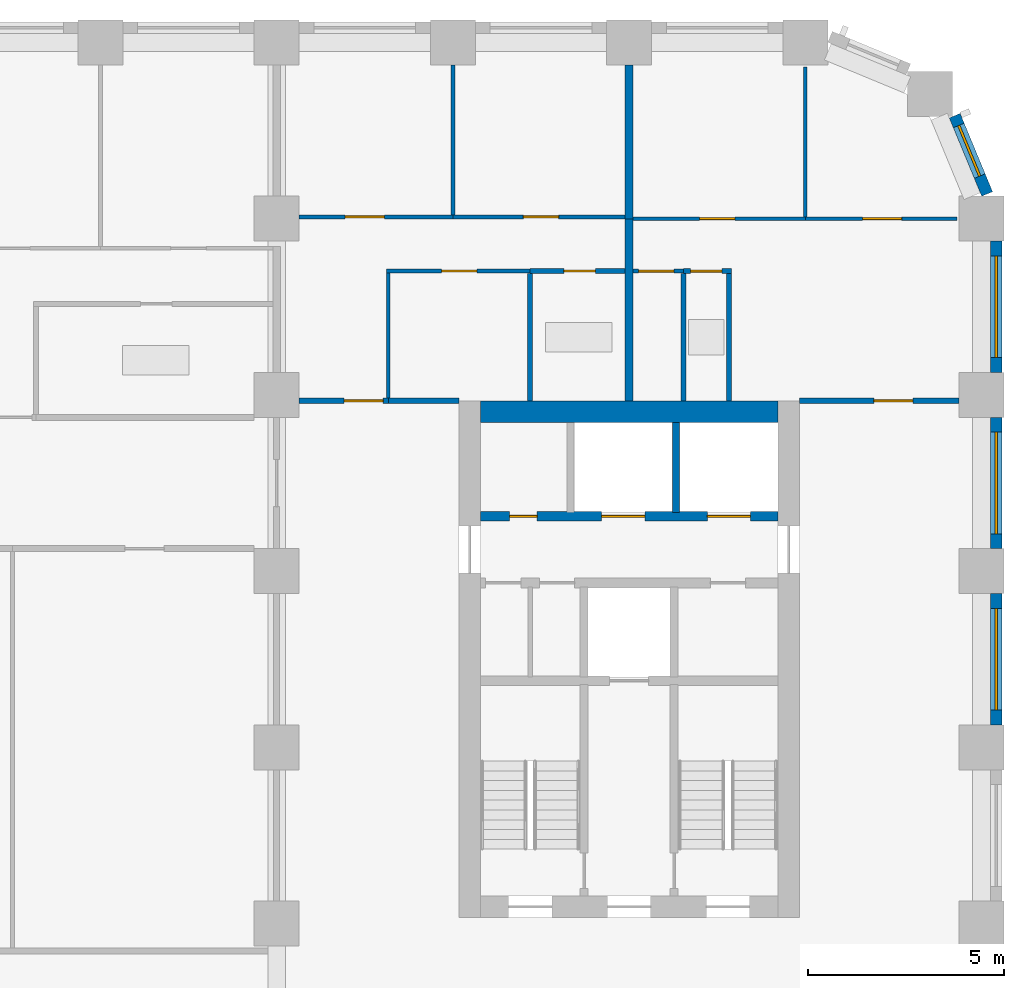
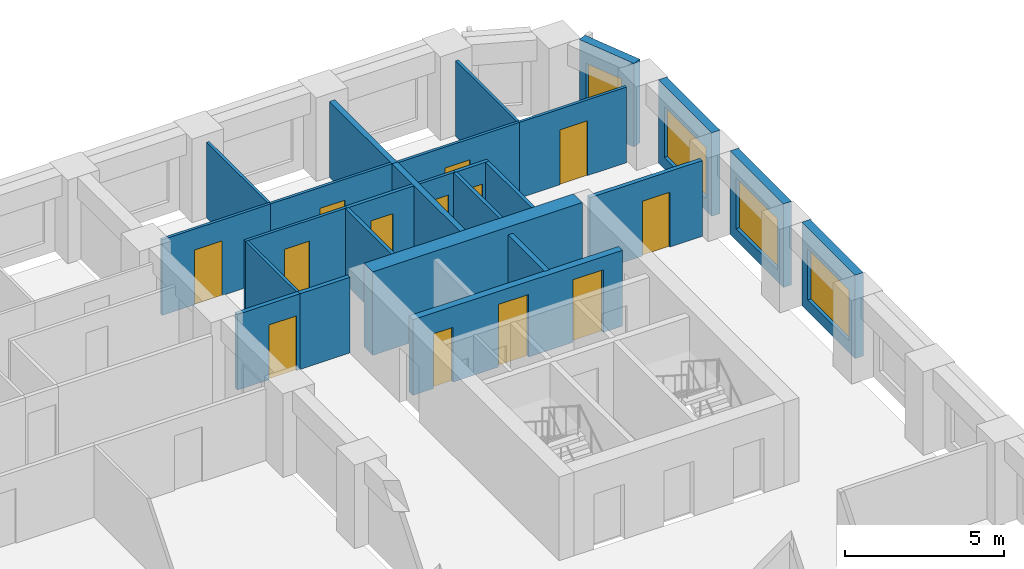
# One storey, part 9 of 13: 26 walls, 13 doors, 4 windows, 17 openings.
"""IFC4 building model written with IfcOpenShell, lengths in metres."""

from ifc_helpers import new_model, si_unit, direction, frame, frame_2d, origin, place, context, subcontext, project, spatial, rectangle, extrude, material, layer, layer_set, type_object, element, fill, save


model = new_model("IFC4")

# Units and contexts
model_context = context("Model", 3, precision=1e-05, world=origin(), true_north=direction((0.0, 1.0)))
body_context = subcontext(model_context, "Body", "Model", "MODEL_VIEW")
ifc_project = project(units=[si_unit("LENGTHUNIT", "METRE"), si_unit("AREAUNIT", "SQUARE_METRE"), si_unit("VOLUMEUNIT", "CUBIC_METRE"), si_unit("PLANEANGLEUNIT", "RADIAN"), si_unit("MASSUNIT", "GRAM", prefix="KILO")], contexts=[model_context])

# Site, building, storey
site_placement = place(None, origin())
site = spatial("IfcSite", under=ifc_project, at=site_placement, CompositionType="ELEMENT")
building_placement = place(site_placement, origin())
building = spatial("IfcBuilding", under=site, at=building_placement, Name="Girih Gate Residences", CompositionType="ELEMENT")
storey_placement = place(building_placement, frame((0.0, 0.0, 86.39990234375)))
storey = spatial("IfcBuildingStorey", under=building, at=storey_placement, Name="L23", CompositionType="ELEMENT", Elevation=86.39990234375)

# Wall, opening, door
ifc_material_1 = material(Name="Gypsum board on steel studs", Category="steel")
ifc_layer_1 = layer(ifc_material_1, 0.14990234375)
ifc_layer_set_1 = layer_set([ifc_layer_1], Name="Compartment wall 150 mm")
wall_type_1 = type_object("IfcWallType", Name="Compartment wall 150 mm", PredefinedType="PARTITIONING", material=ifc_layer_set_1)
wall_1_placement = place(storey_placement, frame((44.85009765625, 40.35009765625, 0.0), z_axis=(0.0, 0.0, 1.0), x_axis=(1.0, 0.0, 0.0)))
wall_1 = element("IfcWall", 1, at=wall_1_placement, inside=storey, type_object=wall_type_1, Name="L23 partition", PredefinedType="PARTITIONING", context=body_context, shape_type="SweptSolid", body=[
    extrude(rectangle(XDim=4.074951171875, YDim=0.14990234375, at=frame_2d((2.03759765625, 0.0))), origin(), (0.0, 0.0, 1.0), 2.900146484375),
])
opening_1_placement = place(wall_1_placement, frame((1.89990234375, 0.0, 0.0)))
opening_1 = element("IfcOpeningElement", 2, at=opening_1_placement, cuts=wall_1, Name="Opening A23-034", PredefinedType="OPENING", context=body_context, shape_type="SweptSolid", body=[
    extrude(rectangle(XDim=1.0, YDim=2.10009765625, at=frame_2d((0.5, 1.050048828125))), frame((0.0, 0.0849609375, 0.0), z_axis=(0.0, -1.0, 0.0), x_axis=(1.0, 0.0, 0.0)), (0.0, 0.0, 1.0), 0.169921875),
])
ifc_material_2 = material(Name="Timber, fire-rated core", Category="wood")
door_type_1 = type_object("IfcDoorType", Name="Flat entrance door 1000x2100 FD30S", OperationType="NOTDEFINED", PredefinedType="DOOR", material=ifc_material_2)
door_1_placement = place(opening_1_placement, origin())
door_1 = element("IfcDoor", 3, at=door_1_placement, inside=storey, type_object=door_type_1, Name="Door A23-034", OperationType="SINGLE_SWING_RIGHT", OverallHeight=2.10009765625, OverallWidth=1.0, PredefinedType="DOOR", context=body_context, shape_type="SweptSolid", body=[
    extrude(rectangle(XDim=1.0, YDim=2.10009765625, at=frame_2d((0.5, 1.050048828125))), frame((0.0, 0.02490234375, 0.0), z_axis=(0.0, -1.0, 0.0), x_axis=(1.0, 0.0, 0.0)), (0.0, 0.0, 1.0), 0.050048828125),
])
fill(opening_1, door_1)

wall_2_placement = place(storey_placement, frame((32.074951171875, 40.35009765625, 0.0), z_axis=(0.0, 0.0, 1.0), x_axis=(1.0, 0.0, 0.0)))
wall_2 = element("IfcWall", 4, at=wall_2_placement, inside=storey, type_object=wall_type_1, Name="L23 partition", PredefinedType="PARTITIONING", context=body_context, shape_type="SweptSolid", body=[
    extrude(rectangle(XDim=2.275146484375, YDim=0.14990234375, at=frame_2d((1.1376953125, 0.0))), origin(), (0.0, 0.0, 1.0), 2.900146484375),
])
opening_2_placement = place(wall_2_placement, frame((1.14501953125, 0.0, 0.0)))
opening_2 = element("IfcOpeningElement", 5, at=opening_2_placement, cuts=wall_2, Name="Opening A23-039", PredefinedType="OPENING", context=body_context, shape_type="SweptSolid", body=[
    extrude(rectangle(XDim=1.0, YDim=2.10009765625, at=frame_2d((0.5, 1.050048828125))), frame((0.0, 0.0849609375, 0.0), z_axis=(0.0, -1.0, 0.0), x_axis=(1.0, 0.0, 0.0)), (0.0, 0.0, 1.0), 0.169921875),
])
door_2_placement = place(opening_2_placement, origin())
door_2 = element("IfcDoor", 6, at=door_2_placement, inside=storey, type_object=door_type_1, Name="Door A23-039", OperationType="SINGLE_SWING_RIGHT", OverallHeight=2.10009765625, OverallWidth=1.0, PredefinedType="DOOR", context=body_context, shape_type="SweptSolid", body=[
    extrude(rectangle(XDim=1.0, YDim=2.10009765625, at=frame_2d((0.5, 1.050048828125))), frame((0.0, 0.02490234375, 0.0), z_axis=(0.0, -1.0, 0.0), x_axis=(1.0, 0.0, 0.0)), (0.0, 0.0, 1.0), 0.050048828125),
])
fill(opening_2, door_2)

# Walls
wall_3_placement = place(storey_placement, frame((34.35009765625, 40.35009765625, 0.0), z_axis=(0.0, 0.0, 1.0), x_axis=(1.0, 0.0, 0.0)))
element("IfcWall", 7, at=wall_3_placement, inside=storey, type_object=wall_type_1, Name="L23 partition", PredefinedType="PARTITIONING", context=body_context, shape_type="SweptSolid", body=[
    extrude(rectangle(XDim=1.7998046875, YDim=0.14990234375, at=frame_2d((0.89990234375, 0.0))), origin(), (0.0, 0.0, 1.0), 2.900146484375),
])
ifc_material_3 = material(Name="Concrete C60/75", Category="concrete")
ifc_layer_2 = layer(ifc_material_3, 0.550048828125)
ifc_layer_set_2 = layer_set([ifc_layer_2], Name="Core wall RC 550 Concrete C60/75")
wall_type_2 = type_object("IfcWallType", Name="Core wall RC 550 Concrete C60/75", PredefinedType="SOLIDWALL", material=ifc_layer_set_2)
wall_4_placement = place(storey_placement, frame((36.699951171875, 40.074951171875, 0.0), z_axis=(0.0, 0.0, 1.0), x_axis=(1.0, 0.0, 0.0)))
element("IfcWall", 8, at=wall_4_placement, inside=storey, type_object=wall_type_2, Name="Core wall E-N L23", PredefinedType="SOLIDWALL", context=body_context, shape_type="SweptSolid", body=[
    extrude(rectangle(XDim=7.60009765625, YDim=0.550048828125, at=frame_2d((3.800048828125, 0.0))), origin(), (0.0, 0.0, 1.0), 3.2001953125),
])

# Wall, openings, doors
ifc_material_4 = material(Name="Concrete C40/50", Category="concrete")
ifc_layer_3 = layer(ifc_material_4, 0.25)
ifc_layer_set_3 = layer_set([ifc_layer_3], Name="Lift shaft wall 250")
wall_type_3 = type_object("IfcWallType", Name="Lift shaft wall 250", PredefinedType="SOLIDWALL", material=ifc_layer_set_3)
wall_5_placement = place(storey_placement, frame((36.699951171875, 37.39990234375, 0.0), z_axis=(0.0, 0.0, 1.0), x_axis=(1.0, 0.0, 0.0)))
wall_5 = element("IfcWall", 9, at=wall_5_placement, inside=storey, type_object=wall_type_3, Name="L23 E core wall H3", PredefinedType="SOLIDWALL", context=body_context, shape_type="SweptSolid", body=[
    extrude(rectangle(XDim=7.60009765625, YDim=0.25, at=frame_2d((3.800048828125, 0.0))), origin(), (0.0, 0.0, 1.0), 2.900146484375),
])
opening_3_placement = place(wall_5_placement, frame((5.800048828125, 0.0, 0.0)))
opening_3 = element("IfcOpeningElement", 10, at=opening_3_placement, cuts=wall_5, Name="Opening D-L23-E-003", PredefinedType="OPENING", context=body_context, shape_type="SweptSolid", body=[
    extrude(rectangle(XDim=1.10009765625, YDim=2.39990234375, at=frame_2d((0.550048828125, 1.199951171875))), frame((0.0, 0.135009765625, 0.0), z_axis=(0.0, -1.0, 0.0), x_axis=(1.0, 0.0, 0.0)), (0.0, 0.0, 1.0), 0.27001953125),
])
opening_4_placement = place(wall_5_placement, frame((3.10009765625, 0.0, 0.0)))
opening_4 = element("IfcOpeningElement", 11, at=opening_4_placement, cuts=wall_5, Name="Opening D-L23-E-004", PredefinedType="OPENING", context=body_context, shape_type="SweptSolid", body=[
    extrude(rectangle(XDim=1.10009765625, YDim=2.39990234375, at=frame_2d((0.550048828125, 1.199951171875))), frame((0.0, 0.135009765625, 0.0), z_axis=(0.0, -1.0, 0.0), x_axis=(1.0, 0.0, 0.0)), (0.0, 0.0, 1.0), 0.27001953125),
])
opening_5_placement = place(wall_5_placement, frame((0.75, 0.0, 0.0)))
opening_5 = element("IfcOpeningElement", 12, at=opening_5_placement, cuts=wall_5, Name="Opening D-L23-E-006", PredefinedType="OPENING", context=body_context, shape_type="SweptSolid", body=[
    extrude(rectangle(XDim=0.699951171875, YDim=2.10009765625, at=frame_2d((0.35009765625, 1.050048828125))), frame((0.0, 0.135009765625, 0.0), z_axis=(0.0, -1.0, 0.0), x_axis=(1.0, 0.0, 0.0)), (0.0, 0.0, 1.0), 0.27001953125),
])
ifc_material_5 = material(Name="Stainless steel", Category="steel")
door_type_2 = type_object("IfcDoorType", Name="Lift landing door 1100x2400", OperationType="SLIDING_TO_LEFT", PredefinedType="DOOR", material=ifc_material_5)
door_3_placement = place(opening_3_placement, origin())
door_3 = element("IfcDoor", 13, at=door_3_placement, inside=storey, type_object=door_type_2, Name="L23 lift LR-E1 landing door", OperationType="SLIDING_TO_LEFT", OverallHeight=2.39990234375, OverallWidth=1.10009765625, PredefinedType="DOOR", context=body_context, shape_type="SweptSolid", body=[
    extrude(rectangle(XDim=1.10009765625, YDim=2.39990234375, at=frame_2d((0.550048828125, 1.199951171875))), frame((0.0, 0.02490234375, 0.0), z_axis=(0.0, -1.0, 0.0), x_axis=(1.0, 0.0, 0.0)), (0.0, 0.0, 1.0), 0.050048828125),
])
fill(opening_3, door_3)
door_4_placement = place(opening_4_placement, origin())
door_4 = element("IfcDoor", 14, at=door_4_placement, inside=storey, type_object=door_type_2, Name="L23 lift LR-E2 landing door", OperationType="SLIDING_TO_LEFT", OverallHeight=2.39990234375, OverallWidth=1.10009765625, PredefinedType="DOOR", context=body_context, shape_type="SweptSolid", body=[
    extrude(rectangle(XDim=1.10009765625, YDim=2.39990234375, at=frame_2d((0.550048828125, 1.199951171875))), frame((0.0, 0.02490234375, 0.0), z_axis=(0.0, -1.0, 0.0), x_axis=(1.0, 0.0, 0.0)), (0.0, 0.0, 1.0), 0.050048828125),
])
fill(opening_4, door_4)
ifc_material_6 = material(Name="Painted steel, fire-resisting", Category="steel")
door_type_3 = type_object("IfcDoorType", Name="Riser access door 700x2100", OperationType="SINGLE_SWING_LEFT", PredefinedType="DOOR", material=ifc_material_6)
door_5_placement = place(opening_5_placement, origin())
door_5 = element("IfcDoor", 15, at=door_5_placement, inside=storey, type_object=door_type_3, Name="L23 E riser room door", OperationType="SINGLE_SWING_LEFT", OverallHeight=2.10009765625, OverallWidth=0.699951171875, PredefinedType="DOOR", context=body_context, shape_type="SweptSolid", body=[
    extrude(rectangle(XDim=0.699951171875, YDim=2.10009765625, at=frame_2d((0.35009765625, 1.050048828125))), frame((0.0, 0.02490234375, 0.0), z_axis=(0.0, -1.0, 0.0), x_axis=(1.0, 0.0, 0.0)), (0.0, 0.0, 1.0), 0.050048828125),
])
fill(opening_5, door_5)

# Wall, opening, door
ifc_layer_4 = layer(ifc_material_1, 0.10009765625)
ifc_layer_set_4 = layer_set([ifc_layer_4], Name="Partition 100 mm")
wall_type_4 = type_object("IfcWallType", Name="Partition 100 mm", PredefinedType="PARTITIONING", material=ifc_layer_set_4)
wall_6_placement = place(storey_placement, frame((40.60009765625, 45.0, 0.0), z_axis=(0.0, 0.0, 1.0), x_axis=(1.0, 0.0, 0.0)))
wall_6 = element("IfcWall", 16, at=wall_6_placement, inside=storey, type_object=wall_type_4, Name="L23 partition", PredefinedType="PARTITIONING", context=body_context, shape_type="SweptSolid", body=[
    extrude(rectangle(XDim=4.39990234375, YDim=0.10009765625, at=frame_2d((2.199951171875, 0.0))), origin(), (0.0, 0.0, 1.0), 2.900146484375),
])
opening_6_placement = place(wall_6_placement, frame((1.699951171875, 0.0, 0.0)))
opening_6 = element("IfcOpeningElement", 17, at=opening_6_placement, cuts=wall_6, Name="Opening A23-031", PredefinedType="OPENING", context=body_context, shape_type="SweptSolid", body=[
    extrude(rectangle(XDim=0.89990234375, YDim=2.10009765625, at=frame_2d((0.449951171875, 1.050048828125))), frame((0.0, 0.06005859375, 0.0), z_axis=(0.0, -1.0, 0.0), x_axis=(1.0, 0.0, 0.0)), (0.0, 0.0, 1.0), 0.1201171875),
])
ifc_material_7 = material(Name="Timber", Category="wood")
door_type_4 = type_object("IfcDoorType", Name="Bedroom door 900x2100", OperationType="NOTDEFINED", PredefinedType="DOOR", material=ifc_material_7)
door_6_placement = place(opening_6_placement, origin())
door_6 = element("IfcDoor", 18, at=door_6_placement, inside=storey, type_object=door_type_4, Name="Door A23-031", OperationType="SINGLE_SWING_LEFT", OverallHeight=2.10009765625, OverallWidth=0.89990234375, PredefinedType="DOOR", context=body_context, shape_type="SweptSolid", body=[
    extrude(rectangle(XDim=0.89990234375, YDim=2.10009765625, at=frame_2d((0.449951171875, 1.050048828125))), frame((0.0, 0.02490234375, 0.0), z_axis=(0.0, -1.0, 0.0), x_axis=(1.0, 0.0, 0.0)), (0.0, 0.0, 1.0), 0.050048828125),
])
fill(opening_6, door_6)

# Wall
wall_7_placement = place(storey_placement, frame((45.0, 45.050048828125, 0.0), z_axis=(0.0, 0.0, 1.0), x_axis=(0.0, 1.0, 0.0)))
element("IfcWall", 19, at=wall_7_placement, inside=storey, type_object=wall_type_4, Name="L23 partition", PredefinedType="PARTITIONING", context=body_context, shape_type="SweptSolid", body=[
    extrude(rectangle(XDim=3.82763671875, YDim=0.10009765625, at=frame_2d((1.913818359375, 0.0))), origin(), (0.0, 0.0, 1.0), 2.900146484375),
])

# Wall, opening, door
wall_8_placement = place(storey_placement, frame((41.890869140625, 43.659912109375, 0.0), z_axis=(0.0, 0.0, 1.0), x_axis=(-1.0, 0.0, 0.0)))
wall_8 = element("IfcWall", 20, at=wall_8_placement, inside=storey, type_object=wall_type_4, Name="L23 partition", PredefinedType="PARTITIONING", context=body_context, shape_type="SweptSolid", body=[
    extrude(rectangle(XDim=1.290771484375, YDim=0.10009765625, at=frame_2d((0.6455078125, 0.0))), origin(), (0.0, 0.0, 1.0), 2.900146484375),
])
opening_7_placement = place(wall_8_placement, frame((0.24560546875, 0.0, 0.0)))
opening_7 = element("IfcOpeningElement", 21, at=opening_7_placement, cuts=wall_8, Name="Opening A23-032", PredefinedType="OPENING", context=body_context, shape_type="SweptSolid", body=[
    extrude(rectangle(XDim=0.89990234375, YDim=2.10009765625, at=frame_2d((0.449951171875, 1.050048828125))), frame((0.0, 0.06005859375, 0.0), z_axis=(0.0, -1.0, 0.0), x_axis=(1.0, 0.0, 0.0)), (0.0, 0.0, 1.0), 0.1201171875),
])
door_type_5 = type_object("IfcDoorType", Name="Kitchen door 900x2100", OperationType="NOTDEFINED", PredefinedType="DOOR", material=ifc_material_7)
door_7_placement = place(opening_7_placement, origin())
door_7 = element("IfcDoor", 22, at=door_7_placement, inside=storey, type_object=door_type_5, Name="Door A23-032", OperationType="SINGLE_SWING_RIGHT", OverallHeight=2.10009765625, OverallWidth=0.89990234375, PredefinedType="DOOR", context=body_context, shape_type="SweptSolid", body=[
    extrude(rectangle(XDim=0.89990234375, YDim=2.10009765625, at=frame_2d((0.449951171875, 1.050048828125))), frame((0.0, 0.02490234375, 0.0), z_axis=(0.0, -1.0, 0.0), x_axis=(1.0, 0.0, 0.0)), (0.0, 0.0, 1.0), 0.050048828125),
])
fill(opening_7, door_7)

wall_9_placement = place(storey_placement, frame((45.0, 45.0, 0.0), z_axis=(0.0, 0.0, 1.0), x_axis=(1.0, 0.0, 0.0)))
wall_9 = element("IfcWall", 23, at=wall_9_placement, inside=storey, type_object=wall_type_4, Name="L23 partition", PredefinedType="PARTITIONING", context=body_context, shape_type="SweptSolid", body=[
    extrude(rectangle(XDim=3.877685546875, YDim=0.10009765625, at=frame_2d((1.93896484375, 0.0))), origin(), (0.0, 0.0, 1.0), 2.900146484375),
])
opening_8_placement = place(wall_9_placement, frame((1.46240234375, 0.0, 0.0)))
opening_8 = element("IfcOpeningElement", 24, at=opening_8_placement, cuts=wall_9, Name="Opening A23-033", PredefinedType="OPENING", context=body_context, shape_type="SweptSolid", body=[
    extrude(rectangle(XDim=1.0, YDim=2.10009765625, at=frame_2d((0.5, 1.050048828125))), frame((0.0, 0.06005859375, 0.0), z_axis=(0.0, -1.0, 0.0), x_axis=(1.0, 0.0, 0.0)), (0.0, 0.0, 1.0), 0.1201171875),
])
door_type_6 = type_object("IfcDoorType", Name="Living room door 1000x2100", OperationType="NOTDEFINED", PredefinedType="DOOR", material=ifc_material_7)
door_8_placement = place(opening_8_placement, origin())
door_8 = element("IfcDoor", 25, at=door_8_placement, inside=storey, type_object=door_type_6, Name="Door A23-033", OperationType="SINGLE_SWING_RIGHT", OverallHeight=2.10009765625, OverallWidth=1.0, PredefinedType="DOOR", context=body_context, shape_type="SweptSolid", body=[
    extrude(rectangle(XDim=1.0, YDim=2.10009765625, at=frame_2d((0.5, 1.050048828125))), frame((0.0, 0.02490234375, 0.0), z_axis=(0.0, -1.0, 0.0), x_axis=(1.0, 0.0, 0.0)), (0.0, 0.0, 1.0), 0.050048828125),
])
fill(opening_8, door_8)

wall_10_placement = place(storey_placement, frame((36.0, 45.044921875, 0.0), z_axis=(0.0, 0.0, 1.0), x_axis=(1.0, 0.0, 0.0)))
wall_10 = element("IfcWall", 26, at=wall_10_placement, inside=storey, type_object=wall_type_4, Name="L23 partition", PredefinedType="PARTITIONING", context=body_context, shape_type="SweptSolid", body=[
    extrude(rectangle(XDim=4.39990234375, YDim=0.10009765625, at=frame_2d((2.199951171875, 0.0))), origin(), (0.0, 0.0, 1.0), 2.900146484375),
])
opening_9_placement = place(wall_10_placement, frame((1.800048828125, 0.0, 0.0)))
opening_9 = element("IfcOpeningElement", 27, at=opening_9_placement, cuts=wall_10, Name="Opening A23-036", PredefinedType="OPENING", context=body_context, shape_type="SweptSolid", body=[
    extrude(rectangle(XDim=0.89990234375, YDim=2.10009765625, at=frame_2d((0.449951171875, 1.050048828125))), frame((0.0, 0.06005859375, 0.0), z_axis=(0.0, -1.0, 0.0), x_axis=(1.0, 0.0, 0.0)), (0.0, 0.0, 1.0), 0.1201171875),
])
door_9_placement = place(opening_9_placement, origin())
door_9 = element("IfcDoor", 28, at=door_9_placement, inside=storey, type_object=door_type_4, Name="Door A23-036", OperationType="SINGLE_SWING_RIGHT", OverallHeight=2.10009765625, OverallWidth=0.89990234375, PredefinedType="DOOR", context=body_context, shape_type="SweptSolid", body=[
    extrude(rectangle(XDim=0.89990234375, YDim=2.10009765625, at=frame_2d((0.449951171875, 1.050048828125))), frame((0.0, 0.02490234375, 0.0), z_axis=(0.0, -1.0, 0.0), x_axis=(1.0, 0.0, 0.0)), (0.0, 0.0, 1.0), 0.050048828125),
])
fill(opening_9, door_9)

# Wall
wall_11_placement = place(storey_placement, frame((36.0, 45.094970703125, 0.0), z_axis=(0.0, 0.0, 1.0), x_axis=(0.0, 1.0, 0.0)))
element("IfcWall", 29, at=wall_11_placement, inside=storey, type_object=wall_type_4, Name="L23 partition", PredefinedType="PARTITIONING", context=body_context, shape_type="SweptSolid", body=[
    extrude(rectangle(XDim=3.830078125, YDim=0.10009765625, at=frame_2d((1.9150390625, 0.0))), origin(), (0.0, 0.0, 1.0), 2.900146484375),
])

# Wall, opening, door
wall_12_placement = place(storey_placement, frame((37.97265625, 43.6650390625, 0.0), z_axis=(0.0, 0.0, 1.0), x_axis=(-1.0, 0.0, 0.0)))
wall_12 = element("IfcWall", 30, at=wall_12_placement, inside=storey, type_object=wall_type_4, Name="L23 partition", PredefinedType="PARTITIONING", context=body_context, shape_type="SweptSolid", body=[
    extrude(rectangle(XDim=3.672607421875, YDim=0.10009765625, at=frame_2d((1.83642578125, 0.0))), origin(), (0.0, 0.0, 1.0), 2.900146484375),
])
opening_10_placement = place(wall_12_placement, frame((1.361328125, 0.0, 0.0)))
opening_10 = element("IfcOpeningElement", 31, at=opening_10_placement, cuts=wall_12, Name="Opening A23-037", PredefinedType="OPENING", context=body_context, shape_type="SweptSolid", body=[
    extrude(rectangle(XDim=0.89990234375, YDim=2.10009765625, at=frame_2d((0.449951171875, 1.050048828125))), frame((0.0, 0.06005859375, 0.0), z_axis=(0.0, -1.0, 0.0), x_axis=(1.0, 0.0, 0.0)), (0.0, 0.0, 1.0), 0.1201171875),
])
door_10_placement = place(opening_10_placement, origin())
door_10 = element("IfcDoor", 32, at=door_10_placement, inside=storey, type_object=door_type_5, Name="Door A23-037", OperationType="SINGLE_SWING_LEFT", OverallHeight=2.10009765625, OverallWidth=0.89990234375, PredefinedType="DOOR", context=body_context, shape_type="SweptSolid", body=[
    extrude(rectangle(XDim=0.89990234375, YDim=2.10009765625, at=frame_2d((0.449951171875, 1.050048828125))), frame((0.0, 0.02490234375, 0.0), z_axis=(0.0, -1.0, 0.0), x_axis=(1.0, 0.0, 0.0)), (0.0, 0.0, 1.0), 0.050048828125),
])
fill(opening_10, door_10)

# Wall
wall_13_placement = place(storey_placement, frame((34.35009765625, 40.425048828125, 0.0), z_axis=(0.0, 0.0, 1.0), x_axis=(0.0, 1.0, 0.0)))
element("IfcWall", 33, at=wall_13_placement, inside=storey, type_object=wall_type_4, Name="L23 partition", PredefinedType="PARTITIONING", context=body_context, shape_type="SweptSolid", body=[
    extrude(rectangle(XDim=3.18994140625, YDim=0.10009765625, at=frame_2d((1.594970703125, 0.0))), origin(), (0.0, 0.0, 1.0), 2.900146484375),
])

# Wall, opening, door
wall_14_placement = place(storey_placement, frame((32.074951171875, 45.044921875, 0.0), z_axis=(0.0, 0.0, 1.0), x_axis=(1.0, 0.0, 0.0)))
wall_14 = element("IfcWall", 34, at=wall_14_placement, inside=storey, type_object=wall_type_4, Name="L23 partition", PredefinedType="PARTITIONING", context=body_context, shape_type="SweptSolid", body=[
    extrude(rectangle(XDim=3.925048828125, YDim=0.10009765625, at=frame_2d((1.96240234375, 0.0))), origin(), (0.0, 0.0, 1.0), 2.900146484375),
])
opening_11_placement = place(wall_14_placement, frame((1.175048828125, 0.0, 0.0)))
opening_11 = element("IfcOpeningElement", 35, at=opening_11_placement, cuts=wall_14, Name="Opening A23-038", PredefinedType="OPENING", context=body_context, shape_type="SweptSolid", body=[
    extrude(rectangle(XDim=1.0, YDim=2.10009765625, at=frame_2d((0.5, 1.050048828125))), frame((0.0, 0.06005859375, 0.0), z_axis=(0.0, -1.0, 0.0), x_axis=(1.0, 0.0, 0.0)), (0.0, 0.0, 1.0), 0.1201171875),
])
door_11_placement = place(opening_11_placement, origin())
door_11 = element("IfcDoor", 36, at=door_11_placement, inside=storey, type_object=door_type_6, Name="Door A23-038", OperationType="SINGLE_SWING_LEFT", OverallHeight=2.10009765625, OverallWidth=1.0, PredefinedType="DOOR", context=body_context, shape_type="SweptSolid", body=[
    extrude(rectangle(XDim=1.0, YDim=2.10009765625, at=frame_2d((0.5, 1.050048828125))), frame((0.0, 0.02490234375, 0.0), z_axis=(0.0, -1.0, 0.0), x_axis=(1.0, 0.0, 0.0)), (0.0, 0.0, 1.0), 0.050048828125),
])
fill(opening_11, door_11)

# Walls
ifc_layer_5 = layer(ifc_material_1, 0.199951171875)
ifc_layer_set_5 = layer_set([ifc_layer_5], Name="Party wall 200 mm")
wall_type_5 = type_object("IfcWallType", Name="Party wall 200 mm", PredefinedType="PARTITIONING", material=ifc_layer_set_5)
wall_15_placement = place(storey_placement, frame((40.5, 44.9951171875, 0.0), z_axis=(0.0, 0.0, 1.0), x_axis=(0.0, 1.0, 0.0)))
element("IfcWall", 37, at=wall_15_placement, inside=storey, type_object=wall_type_5, Name="L23 partition", PredefinedType="PARTITIONING", context=body_context, shape_type="SweptSolid", body=[
    extrude(rectangle(XDim=3.929931640625, YDim=0.199951171875, at=frame_2d((1.96484375, 0.0))), origin(), (0.0, 0.0, 1.0), 2.900146484375),
])
wall_16_placement = place(storey_placement, frame((40.5, 40.35009765625, 0.0), z_axis=(0.0, 0.0, 1.0), x_axis=(0.0, 1.0, 0.0)))
element("IfcWall", 38, at=wall_16_placement, inside=storey, type_object=wall_type_5, Name="L23 partition", PredefinedType="PARTITIONING", context=body_context, shape_type="SweptSolid", body=[
    extrude(rectangle(XDim=4.699951171875, YDim=0.199951171875, at=frame_2d((2.35009765625, 0.0))), origin(), (0.0, 0.0, 1.0), 2.900146484375),
])

# Wall, opening, window
ifc_material_8 = material(Name="Precast concrete C50/60", Category="concrete")
ifc_layer_6 = layer(ifc_material_8, 0.080078125, Name="Outer leaf")
ifc_material_9 = material(Name="Rigid PIR insulation")
ifc_layer_7 = layer(ifc_material_9, 0.14990234375, Name="Insulation")
ifc_material_10 = material(Name="Precast concrete C40/50", Category="concrete")
ifc_layer_8 = layer(ifc_material_10, 0.070068359375, Name="Inner leaf")
ifc_layer_set_6 = layer_set([ifc_layer_6, ifc_layer_7, ifc_layer_8], Name="Precast concrete C50/60 external wall 300")
wall_type_6 = type_object("IfcWallType", Name="Precast concrete C50/60 external wall 300", PredefinedType="SOLIDWALL", material=ifc_layer_set_6)
wall_17_placement = place(storey_placement, frame((49.875, 35.425048828125, 0.0), z_axis=(0.0, 0.0, 1.0), x_axis=(0.0, -1.0, 0.0)))
wall_17 = element("IfcWall", 39, at=wall_17_placement, inside=storey, type_object=wall_type_6, Name="External wall E0495_0045.6", PredefinedType="SOLIDWALL", context=body_context, shape_type="SweptSolid", body=[
    extrude(rectangle(XDim=3.35009765625, YDim=0.300048828125, at=frame_2d((1.675048828125, 0.0))), origin(), (0.0, 0.0, 1.0), 3.2001953125),
])
opening_12_placement = place(wall_17_placement, frame((0.375, 0.0, 0.449951171875)))
opening_12 = element("IfcOpeningElement", 40, at=opening_12_placement, cuts=wall_17, Name="Opening W-1A", PredefinedType="OPENING", context=body_context, shape_type="SweptSolid", body=[
    extrude(rectangle(XDim=2.60009765625, YDim=1.949951171875, at=frame_2d((1.300048828125, 0.97509765625))), frame((0.0, 0.159912109375, 0.0), z_axis=(0.0, -1.0, 0.0), x_axis=(1.0, 0.0, 0.0)), (0.0, 0.0, 1.0), 0.320068359375),
])
ifc_material_11 = material(Name="Double glazing in aluminium frame", Category="aluminium")
window_type_1 = type_object("IfcWindowType", Name="Window W-1A 2600x1950", PartitioningType="SINGLE_PANEL", PredefinedType="WINDOW", material=ifc_material_11)
window_1_placement = place(opening_12_placement, origin())
window_1 = element("IfcWindow", 41, at=window_1_placement, inside=storey, type_object=window_type_1, Name="Window W-1A E0495_0045.6", OverallHeight=1.949951171875, OverallWidth=2.60009765625, PartitioningType="SINGLE_PANEL", PredefinedType="WINDOW", context=body_context, shape_type="SweptSolid", body=[
    extrude(rectangle(XDim=2.60009765625, YDim=1.949951171875, at=frame_2d((1.300048828125, 0.97509765625))), frame((0.0, 0.030029296875, 0.0), z_axis=(0.0, -1.0, 0.0), x_axis=(1.0, 0.0, 0.0)), (0.0, 0.0, 1.0), 0.06005859375),
])
fill(opening_12, window_1)

wall_18_placement = place(storey_placement, frame((49.875, 39.925048828125, 0.0), z_axis=(0.0, 0.0, 1.0), x_axis=(0.0, -1.0, 0.0)))
wall_18 = element("IfcWall", 42, at=wall_18_placement, inside=storey, type_object=wall_type_6, Name="External wall E0495_0045.7", PredefinedType="SOLIDWALL", context=body_context, shape_type="SweptSolid", body=[
    extrude(rectangle(XDim=3.35009765625, YDim=0.300048828125, at=frame_2d((1.675048828125, 0.0))), origin(), (0.0, 0.0, 1.0), 3.2001953125),
])
opening_13_placement = place(wall_18_placement, frame((0.375, 0.0, 0.449951171875)))
opening_13 = element("IfcOpeningElement", 43, at=opening_13_placement, cuts=wall_18, Name="Opening W-1A", PredefinedType="OPENING", context=body_context, shape_type="SweptSolid", body=[
    extrude(rectangle(XDim=2.60009765625, YDim=1.949951171875, at=frame_2d((1.300048828125, 0.97509765625))), frame((0.0, 0.159912109375, 0.0), z_axis=(0.0, -1.0, 0.0), x_axis=(1.0, 0.0, 0.0)), (0.0, 0.0, 1.0), 0.320068359375),
])
window_2_placement = place(opening_13_placement, origin())
window_2 = element("IfcWindow", 44, at=window_2_placement, inside=storey, type_object=window_type_1, Name="Window W-1A E0495_0045.7", OverallHeight=1.949951171875, OverallWidth=2.60009765625, PartitioningType="SINGLE_PANEL", PredefinedType="WINDOW", context=body_context, shape_type="SweptSolid", body=[
    extrude(rectangle(XDim=2.60009765625, YDim=1.949951171875, at=frame_2d((1.300048828125, 0.97509765625))), frame((0.0, 0.030029296875, 0.0), z_axis=(0.0, -1.0, 0.0), x_axis=(1.0, 0.0, 0.0)), (0.0, 0.0, 1.0), 0.06005859375),
])
fill(opening_13, window_2)

wall_19_placement = place(storey_placement, frame((49.875, 44.425048828125, 0.0), z_axis=(0.0, 0.0, 1.0), x_axis=(0.0, -1.0, 0.0)))
wall_19 = element("IfcWall", 45, at=wall_19_placement, inside=storey, type_object=wall_type_6, Name="External wall E0495_0045.8", PredefinedType="SOLIDWALL", context=body_context, shape_type="SweptSolid", body=[
    extrude(rectangle(XDim=3.35009765625, YDim=0.300048828125, at=frame_2d((1.675048828125, 0.0))), origin(), (0.0, 0.0, 1.0), 3.2001953125),
])
opening_14_placement = place(wall_19_placement, frame((0.375, 0.0, 0.449951171875)))
opening_14 = element("IfcOpeningElement", 46, at=opening_14_placement, cuts=wall_19, Name="Opening W-1A", PredefinedType="OPENING", context=body_context, shape_type="SweptSolid", body=[
    extrude(rectangle(XDim=2.60009765625, YDim=1.949951171875, at=frame_2d((1.300048828125, 0.97509765625))), frame((0.0, 0.159912109375, 0.0), z_axis=(0.0, -1.0, 0.0), x_axis=(1.0, 0.0, 0.0)), (0.0, 0.0, 1.0), 0.320068359375),
])
window_3_placement = place(opening_14_placement, origin())
window_3 = element("IfcWindow", 47, at=window_3_placement, inside=storey, type_object=window_type_1, Name="Window W-1A E0495_0045.8", OverallHeight=1.949951171875, OverallWidth=2.60009765625, PartitioningType="SINGLE_PANEL", PredefinedType="WINDOW", context=body_context, shape_type="SweptSolid", body=[
    extrude(rectangle(XDim=2.60009765625, YDim=1.949951171875, at=frame_2d((1.300048828125, 0.97509765625))), frame((0.0, 0.030029296875, 0.0), z_axis=(0.0, -1.0, 0.0), x_axis=(1.0, 0.0, 0.0)), (0.0, 0.0, 1.0), 0.06005859375),
])
fill(opening_14, window_3)

wall_20_placement = place(storey_placement, frame((48.81591796875, 47.63134765625, 0.0), z_axis=(0.0, 0.0, 1.0), x_axis=(0.382723818695, -0.923862802911, 0.0)))
wall_20 = element("IfcWall", 48, at=wall_20_placement, inside=storey, type_object=wall_type_6, Name="External wall NE0495_0450.0", PredefinedType="SOLIDWALL", context=body_context, shape_type="SweptSolid", body=[
    extrude(rectangle(XDim=2.163818359375, YDim=0.300048828125, at=frame_2d((1.08203125, 0.0))), origin(), (0.0, 0.0, 1.0), 3.2001953125),
])
opening_15_placement = place(wall_20_placement, frame((0.270751953125, 0.0, 0.449951171875)))
opening_15 = element("IfcOpeningElement", 49, at=opening_15_placement, cuts=wall_20, Name="Opening W-2D", PredefinedType="OPENING", context=body_context, shape_type="SweptSolid", body=[
    extrude(rectangle(XDim=1.39990234375, YDim=1.949951171875, at=frame_2d((0.699951171875, 0.97509765625))), frame((0.0, 0.159912109375, 0.0), z_axis=(0.0, -1.0, 0.0), x_axis=(1.0, 0.0, 0.0)), (0.0, 0.0, 1.0), 0.320068359375),
])
window_type_2 = type_object("IfcWindowType", Name="Window W-2D 1400x1950", PartitioningType="SINGLE_PANEL", PredefinedType="WINDOW", material=ifc_material_11)
window_4_placement = place(opening_15_placement, origin())
window_4 = element("IfcWindow", 50, at=window_4_placement, inside=storey, type_object=window_type_2, Name="Window W-2D NE0495_0450.0", OverallHeight=1.949951171875, OverallWidth=1.39990234375, PartitioningType="SINGLE_PANEL", PredefinedType="WINDOW", context=body_context, shape_type="SweptSolid", body=[
    extrude(rectangle(XDim=1.39990234375, YDim=1.949951171875, at=frame_2d((0.699951171875, 0.97509765625))), frame((0.0, 0.030029296875, 0.0), z_axis=(0.0, -1.0, 0.0), x_axis=(1.0, 0.0, 0.0)), (0.0, 0.0, 1.0), 0.06005859375),
])
fill(opening_15, window_4)

# Wall
ifc_layer_9 = layer(ifc_material_4, 0.175048828125)
ifc_layer_set_7 = layer_set([ifc_layer_9], Name="Riser shaft wall 175")
wall_type_7 = type_object("IfcWallType", Name="Riser shaft wall 175", PredefinedType="SOLIDWALL", material=ifc_layer_set_7)
wall_21_placement = place(storey_placement, frame((41.699951171875, 37.5, 0.0), z_axis=(0.0, 0.0, 1.0), x_axis=(0.0, 1.0, 0.0)))
element("IfcWall", 51, at=wall_21_placement, inside=storey, type_object=wall_type_7, Name="L23 E core wall V1c", PredefinedType="SOLIDWALL", context=body_context, shape_type="SweptSolid", body=[
    extrude(rectangle(XDim=2.300048828125, YDim=0.175048828125, at=frame_2d((1.14990234375, 0.0))), origin(), (0.0, 0.0, 1.0), 2.900146484375),
])

# Wall, opening, door
ifc_layer_10 = layer(ifc_material_1, 0.125)
ifc_layer_set_8 = layer_set([ifc_layer_10], Name="Wet room wall 125 mm")
wall_type_8 = type_object("IfcWallType", Name="Wet room wall 125 mm", PredefinedType="PARTITIONING", material=ifc_layer_set_8)
wall_22_placement = place(storey_placement, frame((43.112548828125, 43.659912109375, 0.0), z_axis=(0.0, 0.0, 1.0), x_axis=(-1.0, 0.0, 0.0)))
wall_22 = element("IfcWall", 52, at=wall_22_placement, inside=storey, type_object=wall_type_8, Name="L23 partition", PredefinedType="PARTITIONING", context=body_context, shape_type="SweptSolid", body=[
    extrude(rectangle(XDim=1.2216796875, YDim=0.125, at=frame_2d((0.61083984375, 0.0))), origin(), (0.0, 0.0, 1.0), 2.900146484375),
])
opening_16_placement = place(wall_22_placement, frame((0.241943359375, 0.0, 0.0)))
opening_16 = element("IfcOpeningElement", 53, at=opening_16_placement, cuts=wall_22, Name="Opening A23-030", PredefinedType="OPENING", context=body_context, shape_type="SweptSolid", body=[
    extrude(rectangle(XDim=0.800048828125, YDim=2.10009765625, at=frame_2d((0.39990234375, 1.050048828125))), frame((0.0, 0.072509765625, 0.0), z_axis=(0.0, -1.0, 0.0), x_axis=(1.0, 0.0, 0.0)), (0.0, 0.0, 1.0), 0.14501953125),
])
door_type_7 = type_object("IfcDoorType", Name="Bathroom door 800x2100", OperationType="NOTDEFINED", PredefinedType="DOOR", material=ifc_material_7)
door_12_placement = place(opening_16_placement, origin())
door_12 = element("IfcDoor", 54, at=door_12_placement, inside=storey, type_object=door_type_7, Name="Door A23-030", OperationType="SINGLE_SWING_RIGHT", OverallHeight=2.10009765625, OverallWidth=0.800048828125, PredefinedType="DOOR", context=body_context, shape_type="SweptSolid", body=[
    extrude(rectangle(XDim=0.800048828125, YDim=2.10009765625, at=frame_2d((0.39990234375, 1.050048828125))), frame((0.0, 0.02490234375, 0.0), z_axis=(0.0, -1.0, 0.0), x_axis=(1.0, 0.0, 0.0)), (0.0, 0.0, 1.0), 0.050048828125),
])
fill(opening_16, door_12)

# Walls
for number, where, z_axis, x_axis, name in (
    (55, (43.050048828125, 40.35009765625, 0.0), (0.0, 0.0, 1.0), (0.0, 1.0, 0.0), "L23 partition"),
    (56, (41.89111328125, 40.35009765625, 0.0), (0.0, 0.0, 1.0), (0.0, 1.0, 0.0), "L23 partition"),
):
    element("IfcWall", number, at=place(storey_placement, frame(where, z_axis=z_axis, x_axis=x_axis)), inside=storey, type_object=wall_type_8, Name=name, PredefinedType="PARTITIONING", context=body_context, shape_type="SweptSolid", body=[
        extrude(rectangle(XDim=3.247314453125, YDim=0.125, at=frame_2d((1.62353515625, 0.0))), origin(), (0.0, 0.0, 1.0), 2.900146484375),
    ])

# Wall, opening, door
wall_23_placement = place(storey_placement, frame((40.39990234375, 43.6650390625, 0.0), z_axis=(0.0, 0.0, 1.0), x_axis=(-1.0, 0.0, 0.0)))
wall_23 = element("IfcWall", 57, at=wall_23_placement, inside=storey, type_object=wall_type_8, Name="L23 partition", PredefinedType="PARTITIONING", context=body_context, shape_type="SweptSolid", body=[
    extrude(rectangle(XDim=2.42724609375, YDim=0.125, at=frame_2d((1.213623046875, 0.0))), origin(), (0.0, 0.0, 1.0), 2.900146484375),
])
opening_17_placement = place(wall_23_placement, frame((0.763671875, 0.0, 0.0)))
opening_17 = element("IfcOpeningElement", 58, at=opening_17_placement, cuts=wall_23, Name="Opening A23-035", PredefinedType="OPENING", context=body_context, shape_type="SweptSolid", body=[
    extrude(rectangle(XDim=0.800048828125, YDim=2.10009765625, at=frame_2d((0.39990234375, 1.050048828125))), frame((0.0, 0.072509765625, 0.0), z_axis=(0.0, -1.0, 0.0), x_axis=(1.0, 0.0, 0.0)), (0.0, 0.0, 1.0), 0.14501953125),
])
door_13_placement = place(opening_17_placement, origin())
door_13 = element("IfcDoor", 59, at=door_13_placement, inside=storey, type_object=door_type_7, Name="Door A23-035", OperationType="SINGLE_SWING_LEFT", OverallHeight=2.10009765625, OverallWidth=0.800048828125, PredefinedType="DOOR", context=body_context, shape_type="SweptSolid", body=[
    extrude(rectangle(XDim=0.800048828125, YDim=2.10009765625, at=frame_2d((0.39990234375, 1.050048828125))), frame((0.0, 0.02490234375, 0.0), z_axis=(0.0, -1.0, 0.0), x_axis=(1.0, 0.0, 0.0)), (0.0, 0.0, 1.0), 0.050048828125),
])
fill(opening_17, door_13)

# Wall
wall_24_placement = place(storey_placement, frame((37.972900390625, 40.35009765625, 0.0), z_axis=(0.0, 0.0, 1.0), x_axis=(0.0, 1.0, 0.0)))
element("IfcWall", 60, at=wall_24_placement, inside=storey, type_object=wall_type_8, Name="L23 partition", PredefinedType="PARTITIONING", context=body_context, shape_type="SweptSolid", body=[
    extrude(rectangle(XDim=3.25244140625, YDim=0.125, at=frame_2d((1.626220703125, 0.0))), origin(), (0.0, 0.0, 1.0), 2.900146484375),
])

save(model, "model.ifc")
